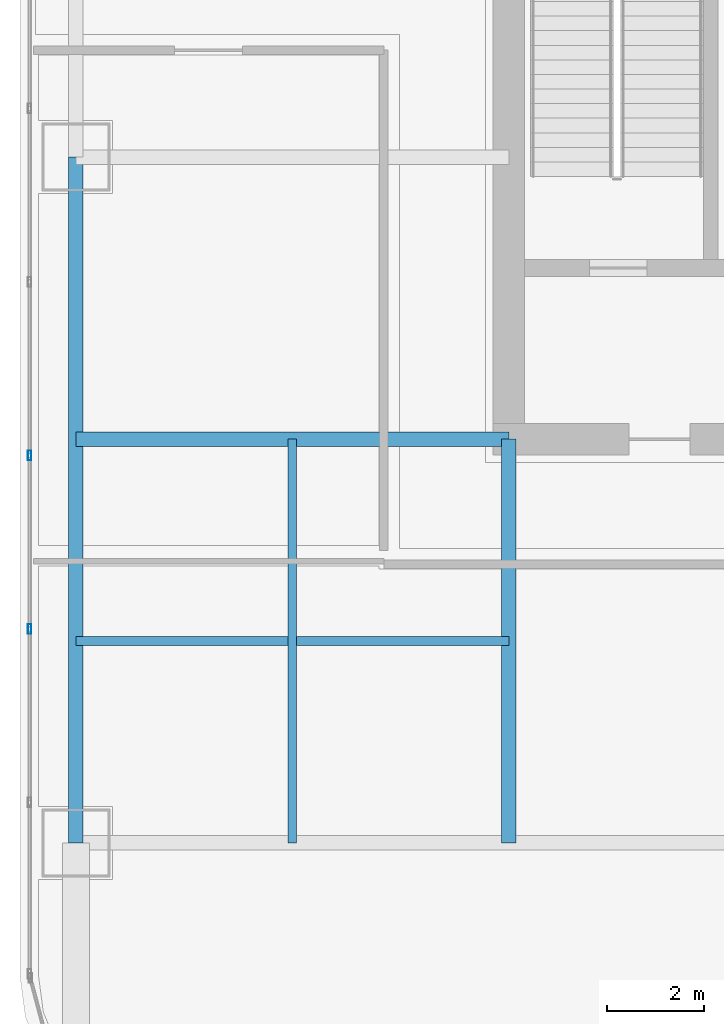
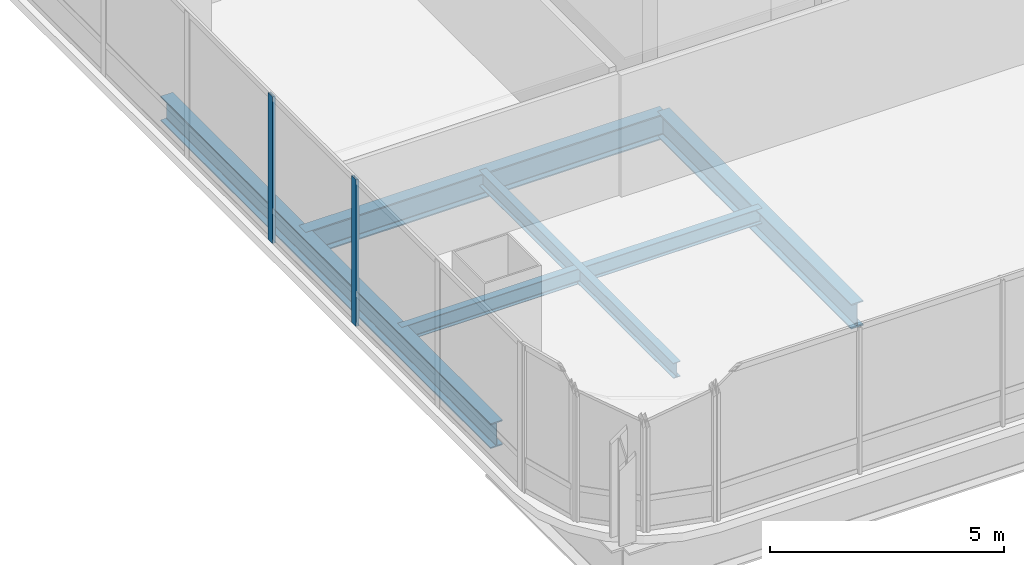
# One storey, part 4 of 36: 5 beams, 2 members, 1 element without a shape of its own.
"""IFC4 building model written with IfcOpenShell, lengths in metres."""

from ifc_helpers import new_model, si_unit, direction, frame, origin, origin_2d, place, context, subcontext, project, spatial, hollow_rectangle, i_section, extrude, material, material_profile, profile_set, type_object, element, aggregate, save


model = new_model("IFC4")

# Units and contexts
model_context = context("Model", 3, precision=1e-05, world=origin(), true_north=direction((0.0, 1.0)))
body_context = subcontext(model_context, "Body", "Model", "MODEL_VIEW")
ifc_project = project(units=[si_unit("LENGTHUNIT", "METRE"), si_unit("AREAUNIT", "SQUARE_METRE"), si_unit("VOLUMEUNIT", "CUBIC_METRE"), si_unit("PLANEANGLEUNIT", "RADIAN"), si_unit("MASSUNIT", "GRAM", prefix="KILO")], contexts=[model_context])

# Site, building, storey
site_placement = place(None, origin())
site = spatial("IfcSite", under=ifc_project, at=site_placement, CompositionType="ELEMENT")
building_placement = place(site_placement, origin())
building = spatial("IfcBuilding", under=site, at=building_placement, Name="Punatoya Terracotta Tower", CompositionType="ELEMENT")
storey_placement = place(building_placement, frame((0.0, 0.0, 212.699951171875)))
storey = spatial("IfcBuildingStorey", under=building, at=storey_placement, Name="L50", CompositionType="ELEMENT", Elevation=212.699951171875)

# Beams
ifc_material_1 = material(Name="Steel S355", Category="steel")
ifc_material_profile_1 = material_profile(ifc_material_1, i_section(OverallWidth=0.300048828125, OverallDepth=0.64990234375, WebThickness=0.01611328125, FlangeThickness=0.031005859375, FilletRadius=0.01806640625, at=origin_2d()))
ifc_profile_set_1 = profile_set([ifc_material_profile_1], Name="Steel S355")
beam_type_1 = type_object("IfcBeamType", Name="BM-PRI-650", PredefinedType="BEAM", material=ifc_profile_set_1)
beam_1_placement = place(storey_placement, frame((-19.10009765625, -17.5, -0.544921875), z_axis=(0.0, 1.0, 0.0), x_axis=(-1.0, 0.0, 0.0)))
element("IfcBeam", 1, at=beam_1_placement, inside=storey, type_object=beam_type_1, Name="BM-L50-RG-W1", PredefinedType="BEAM", context=body_context, shape_type="SweptSolid", body=[
    extrude(i_section(OverallWidth=0.300048828125, OverallDepth=0.64990234375, WebThickness=0.01611328125, FlangeThickness=0.031005859375, FilletRadius=0.01806640625, at=origin_2d()), origin(), (0.0, 0.0, 1.0), 14.10009765625),
])
beam_2_placement = place(storey_placement, frame((-19.10009765625, -9.199951171875, -0.544921875), z_axis=(1.0, 0.0, 0.0), x_axis=(0.0, 1.0, 0.0)))
element("IfcBeam", 2, at=beam_2_placement, inside=storey, type_object=beam_type_1, Name="BM-L50-PR-WS", PredefinedType="BEAM", context=body_context, shape_type="SweptSolid", body=[
    extrude(i_section(OverallWidth=0.300048828125, OverallDepth=0.64990234375, WebThickness=0.01611328125, FlangeThickness=0.031005859375, FilletRadius=0.01806640625, at=origin_2d()), origin(), (0.0, 0.0, 1.0), 8.900146484375),
])
beam_3_placement = place(storey_placement, frame((-10.199951171875, -17.5, -0.544921875), z_axis=(0.0, 1.0, 0.0), x_axis=(-1.0, 0.0, 0.0)))
element("IfcBeam", 3, at=beam_3_placement, inside=storey, type_object=beam_type_1, Name="BM-L50-PR-S1", PredefinedType="BEAM", context=body_context, shape_type="SweptSolid", body=[
    extrude(i_section(OverallWidth=0.300048828125, OverallDepth=0.64990234375, WebThickness=0.01611328125, FlangeThickness=0.031005859375, FilletRadius=0.01806640625, at=origin_2d()), origin(), (0.0, 0.0, 1.0), 8.300048828125),
])
ifc_material_profile_2 = material_profile(ifc_material_1, i_section(OverallWidth=0.179931640625, OverallDepth=0.39990234375, WebThickness=0.008544921875, FlangeThickness=0.013427734375, FilletRadius=0.01806640625, at=origin_2d()))
ifc_profile_set_2 = profile_set([ifc_material_profile_2], Name="Steel S355")
beam_type_2 = type_object("IfcBeamType", Name="BM-SEC-400", PredefinedType="JOIST", material=ifc_profile_set_2)
beam_4_placement = place(storey_placement, frame((-19.10009765625, -13.35009765625, -0.419921875), z_axis=(1.0, 0.0, 0.0), x_axis=(0.0, 1.0, 0.0)))
element("IfcBeam", 4, at=beam_4_placement, inside=storey, type_object=beam_type_2, Name="BM-L50-SJS-1", PredefinedType="JOIST", context=body_context, shape_type="SweptSolid", body=[
    extrude(i_section(OverallWidth=0.179931640625, OverallDepth=0.39990234375, WebThickness=0.008544921875, FlangeThickness=0.013427734375, FilletRadius=0.01806640625, at=origin_2d()), origin(), (0.0, 0.0, 1.0), 8.900146484375),
])
beam_5_placement = place(storey_placement, frame((-14.64990234375, -17.5, -0.419921875), z_axis=(0.0, 1.0, 0.0), x_axis=(-1.0, 0.0, 0.0)))
element("IfcBeam", 5, at=beam_5_placement, inside=storey, type_object=beam_type_2, Name="BM-L50-SJW-1", PredefinedType="JOIST", context=body_context, shape_type="SweptSolid", body=[
    extrude(i_section(OverallWidth=0.179931640625, OverallDepth=0.39990234375, WebThickness=0.008544921875, FlangeThickness=0.013427734375, FilletRadius=0.01806640625, at=origin_2d()), origin(), (0.0, 0.0, 1.0), 8.300048828125),
])

# Curtain wall, members
ifc_material_2 = material(Name="Aluminium 6063-T6 + Double Low-E Glass", Category="aluminium")
curtain_wall_type = type_object("IfcCurtainWallType", Name="CW-M2", PredefinedType="NOTDEFINED", material=ifc_material_2)
curtain_wall_placement = place(storey_placement, origin())
curtain_wall = element("IfcCurtainWall", 6, at=curtain_wall_placement, inside=storey, type_object=curtain_wall_type, Name="L50 Curtain Wall CW-L50-W13-1", PredefinedType="NOTDEFINED")
ifc_material_3 = material(Name="Aluminium 6063-T6", Category="aluminium")
ifc_material_profile_3 = material_profile(ifc_material_3, hollow_rectangle(XDim=0.072021484375, YDim=0.195068359375, WallThickness=0.00439453125, at=origin_2d()))
ifc_profile_set_3 = profile_set([ifc_material_profile_3], Name="Aluminium 6063-T6")
member_type = type_object("IfcMemberType", Name="CW-MUL-M2", PredefinedType="MULLION", material=ifc_profile_set_3)
member_1_placement = place(storey_placement, frame((-20.050048828125, -9.534912109375, 0.0), z_axis=(0.0, 0.0, 1.0), x_axis=(1.0, 0.0, 0.0)))
member_1 = element("IfcMember", 7, at=member_1_placement, type_object=member_type, Name="CW-L50-W13-1 Mullion 07", PredefinedType="MULLION", context=body_context, shape_type="SweptSolid", body=[
    extrude(hollow_rectangle(XDim=0.072021484375, YDim=0.195068359375, WallThickness=0.00439453125, at=origin_2d()), origin(), (0.0, 0.0, 1.0), 3.830078125),
])
member_2_placement = place(storey_placement, frame((-20.050048828125, -13.10205078125, 0.0), z_axis=(0.0, 0.0, 1.0), x_axis=(1.0, 0.0, 0.0)))
member_2 = element("IfcMember", 8, at=member_2_placement, type_object=member_type, Name="CW-L50-W13-1 Mullion 08", PredefinedType="MULLION", context=body_context, shape_type="SweptSolid", body=[
    extrude(hollow_rectangle(XDim=0.072021484375, YDim=0.195068359375, WallThickness=0.00439453125, at=origin_2d()), origin(), (0.0, 0.0, 1.0), 3.830078125),
])
aggregate(curtain_wall, [member_1, member_2])

save(model, "model.ifc")
